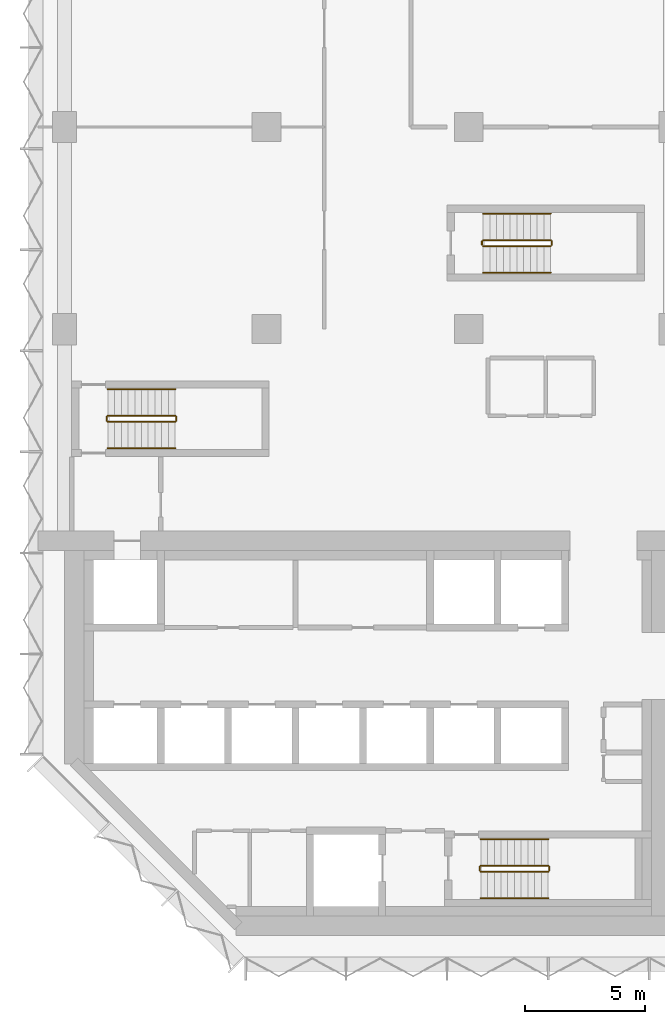
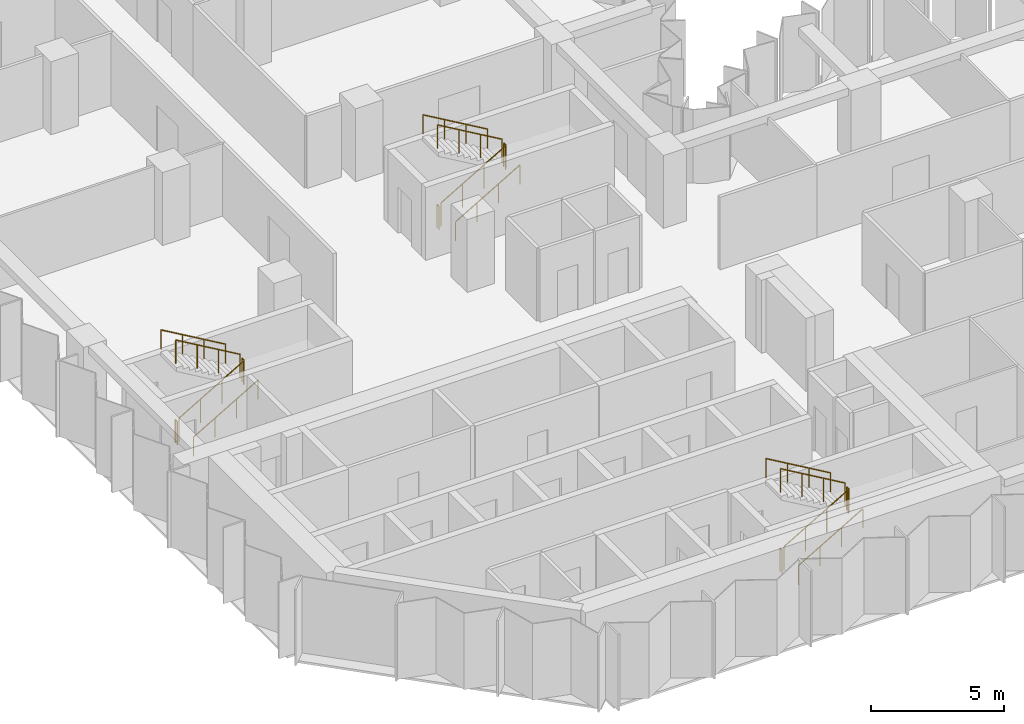
# One storey, part 12 of 13: 18 railings.
"""IFC4 building model written with IfcOpenShell, lengths in metres."""

from ifc_helpers import new_model, si_unit, direction, frame, origin, origin_2d, place, context, subcontext, project, spatial, circle, extrude, material, type_object, element, save


model = new_model("IFC4")

# Units and contexts
model_context = context("Model", 3, precision=1e-05, world=origin(), true_north=direction((0.0, 1.0)))
body_context = subcontext(model_context, "Body", "Model", "MODEL_VIEW")
ifc_project = project(units=[si_unit("LENGTHUNIT", "METRE"), si_unit("AREAUNIT", "SQUARE_METRE"), si_unit("VOLUMEUNIT", "CUBIC_METRE"), si_unit("PLANEANGLEUNIT", "RADIAN"), si_unit("MASSUNIT", "GRAM", prefix="KILO")], contexts=[model_context])

# Site, building, storey
site_placement = place(None, origin())
site = spatial("IfcSite", under=ifc_project, at=site_placement, CompositionType="ELEMENT")
building_placement = place(site_placement, origin())
building = spatial("IfcBuilding", under=site, at=building_placement, Name="Brevane Broadcast Tower", CompositionType="ELEMENT")
storey_placement = place(building_placement, frame((0.0, 0.0, 106.10009765625)))
storey = spatial("IfcBuildingStorey", under=building, at=storey_placement, Name="L25", CompositionType="ELEMENT", Elevation=106.10009765625)

# Railings
ifc_material = material(Name="Steel S355", Category="steel")
railing_type_1 = type_object("IfcRailingType", Name="Exit stair guard", PredefinedType="GUARDRAIL", material=ifc_material)
railing_1_placement = place(storey_placement, frame((1.800048828125, 21.35009765625, 0.16357421875)))
element("IfcRailing", 1, at=railing_1_placement, inside=storey, type_object=railing_type_1, Name="L25 ST-1 stair guard 1", PredefinedType="GUARDRAIL", context=body_context, shape_type="SweptSolid", body=[
    extrude(circle(Radius=0.02392578125, at=origin_2d()), frame((0.0, 0.0, 1.076171875), z_axis=(0.863393664356, 0.0, 0.504530851732), x_axis=(0.0, 1.0, 0.0)), (0.0, 0.0, 1.0), 3.2431640625),
    extrude(circle(Radius=0.02099609375, at=origin_2d()), origin(), (0.0, 0.0, 1.0), 1.052001953125),
    extrude(circle(Radius=0.02099609375, at=origin_2d()), frame((0.933349609375, 0.0, 0.54541015625)), (0.0, 0.0, 1.0), 1.052001953125),
    extrude(circle(Radius=0.02099609375, at=origin_2d()), frame((1.86669921875, 0.0, 1.0908203125)), (0.0, 0.0, 1.0), 1.052001953125),
    extrude(circle(Radius=0.02099609375, at=origin_2d()), frame((2.800048828125, 0.0, 1.63623046875)), (0.0, 0.0, 1.0), 1.052001953125),
])
railing_2_placement = place(storey_placement, frame((4.64990234375, 21.39990234375, 1.7998046875)))
element("IfcRailing", 2, at=railing_2_placement, inside=storey, type_object=railing_type_1, Name="L25 ST-1 stair guard 2", PredefinedType="GUARDRAIL", context=body_context, shape_type="SweptSolid", body=[
    extrude(circle(Radius=0.02392578125, at=origin_2d()), frame((0.0, 0.0, 1.076171875), z_axis=(0.0, 1.0, 0.0), x_axis=(-1.0, 0.0, 0.0)), (0.0, 0.0, 1.0), 0.150146484375),
    extrude(circle(Radius=0.02099609375, at=origin_2d()), origin(), (0.0, 0.0, 1.0), 1.052001953125),
    extrude(circle(Radius=0.02099609375, at=origin_2d()), frame((0.0, 0.150146484375, 0.0)), (0.0, 0.0, 1.0), 1.052001953125),
])
railing_3_placement = place(storey_placement, frame((4.60009765625, 21.60009765625, 1.963623046875)))
element("IfcRailing", 3, at=railing_3_placement, inside=storey, type_object=railing_type_1, Name="L25 ST-1 stair guard 3", PredefinedType="GUARDRAIL", context=body_context, shape_type="SweptSolid", body=[
    extrude(circle(Radius=0.02392578125, at=origin_2d()), frame((0.0, 0.0, 1.076171875), z_axis=(-0.863393664356, 0.0, 0.504530851732), x_axis=(0.0, -1.0, 0.0)), (0.0, 0.0, 1.0), 3.2431640625),
    extrude(circle(Radius=0.02099609375, at=origin_2d()), origin(), (0.0, 0.0, 1.0), 1.052001953125),
    extrude(circle(Radius=0.02099609375, at=origin_2d()), frame((-0.933349609375, 0.0, 0.54541015625)), (0.0, 0.0, 1.0), 1.052001953125),
    extrude(circle(Radius=0.02099609375, at=origin_2d()), frame((-1.86669921875, 0.0, 1.0908203125)), (0.0, 0.0, 1.0), 1.052001953125),
    extrude(circle(Radius=0.02099609375, at=origin_2d()), frame((-2.800048828125, 0.0, 1.63623046875)), (0.0, 0.0, 1.0), 1.052001953125),
])
railing_4_placement = place(storey_placement, frame((1.75, 21.39990234375, 0.0)))
element("IfcRailing", 4, at=railing_4_placement, inside=storey, type_object=railing_type_1, Name="L25 ST-1 stair guard 4", PredefinedType="GUARDRAIL", context=body_context, shape_type="SweptSolid", body=[
    extrude(circle(Radius=0.02392578125, at=origin_2d()), frame((0.0, 0.0, 1.076171875), z_axis=(0.0, 1.0, 0.0), x_axis=(-1.0, 0.0, 0.0)), (0.0, 0.0, 1.0), 0.150146484375),
    extrude(circle(Radius=0.02099609375, at=origin_2d()), origin(), (0.0, 0.0, 1.0), 1.052001953125),
    extrude(circle(Radius=0.02099609375, at=origin_2d()), frame((0.0, 0.150146484375, 0.0)), (0.0, 0.0, 1.0), 1.052001953125),
])
railing_5_placement = place(storey_placement, frame((17.300048828125, 2.64990234375, 0.16357421875)))
element("IfcRailing", 5, at=railing_5_placement, inside=storey, type_object=railing_type_1, Name="L25 ST-2 stair guard 1", PredefinedType="GUARDRAIL", context=body_context, shape_type="SweptSolid", body=[
    extrude(circle(Radius=0.02392578125, at=origin_2d()), frame((0.0, 0.0, 1.076171875), z_axis=(0.863393664356, 0.0, 0.504530851732), x_axis=(0.0, 1.0, 0.0)), (0.0, 0.0, 1.0), 3.2431640625),
    extrude(circle(Radius=0.02099609375, at=origin_2d()), origin(), (0.0, 0.0, 1.0), 1.052001953125),
    extrude(circle(Radius=0.02099609375, at=origin_2d()), frame((0.933349609375, 0.0, 0.54541015625)), (0.0, 0.0, 1.0), 1.052001953125),
    extrude(circle(Radius=0.02099609375, at=origin_2d()), frame((1.86669921875, 0.0, 1.0908203125)), (0.0, 0.0, 1.0), 1.052001953125),
    extrude(circle(Radius=0.02099609375, at=origin_2d()), frame((2.800048828125, 0.0, 1.63623046875)), (0.0, 0.0, 1.0), 1.052001953125),
])
railing_6_placement = place(storey_placement, frame((20.14990234375, 2.699951171875, 1.7998046875)))
element("IfcRailing", 6, at=railing_6_placement, inside=storey, type_object=railing_type_1, Name="L25 ST-2 stair guard 2", PredefinedType="GUARDRAIL", context=body_context, shape_type="SweptSolid", body=[
    extrude(circle(Radius=0.02392578125, at=origin_2d()), frame((0.0, 0.0, 1.076171875), z_axis=(0.0, 1.0, 0.0), x_axis=(-1.0, 0.0, 0.0)), (0.0, 0.0, 1.0), 0.150146484375),
    extrude(circle(Radius=0.02099609375, at=origin_2d()), origin(), (0.0, 0.0, 1.0), 1.052001953125),
    extrude(circle(Radius=0.02099609375, at=origin_2d()), frame((0.0, 0.150146484375, 0.0)), (0.0, 0.0, 1.0), 1.052001953125),
])
railing_7_placement = place(storey_placement, frame((20.10009765625, 2.89990234375, 1.963623046875)))
element("IfcRailing", 7, at=railing_7_placement, inside=storey, type_object=railing_type_1, Name="L25 ST-2 stair guard 3", PredefinedType="GUARDRAIL", context=body_context, shape_type="SweptSolid", body=[
    extrude(circle(Radius=0.02392578125, at=origin_2d()), frame((0.0, 0.0, 1.076171875), z_axis=(-0.863393664356, 0.0, 0.504530851732), x_axis=(0.0, -1.0, 0.0)), (0.0, 0.0, 1.0), 3.2431640625),
    extrude(circle(Radius=0.02099609375, at=origin_2d()), origin(), (0.0, 0.0, 1.0), 1.052001953125),
    extrude(circle(Radius=0.02099609375, at=origin_2d()), frame((-0.933349609375, 0.0, 0.54541015625)), (0.0, 0.0, 1.0), 1.052001953125),
    extrude(circle(Radius=0.02099609375, at=origin_2d()), frame((-1.86669921875, 0.0, 1.0908203125)), (0.0, 0.0, 1.0), 1.052001953125),
    extrude(circle(Radius=0.02099609375, at=origin_2d()), frame((-2.800048828125, 0.0, 1.63623046875)), (0.0, 0.0, 1.0), 1.052001953125),
])
railing_8_placement = place(storey_placement, frame((17.25, 2.699951171875, 0.0)))
element("IfcRailing", 8, at=railing_8_placement, inside=storey, type_object=railing_type_1, Name="L25 ST-2 stair guard 4", PredefinedType="GUARDRAIL", context=body_context, shape_type="SweptSolid", body=[
    extrude(circle(Radius=0.02392578125, at=origin_2d()), frame((0.0, 0.0, 1.076171875), z_axis=(0.0, 1.0, 0.0), x_axis=(-1.0, 0.0, 0.0)), (0.0, 0.0, 1.0), 0.150146484375),
    extrude(circle(Radius=0.02099609375, at=origin_2d()), origin(), (0.0, 0.0, 1.0), 1.052001953125),
    extrude(circle(Radius=0.02099609375, at=origin_2d()), frame((0.0, 0.150146484375, 0.0)), (0.0, 0.0, 1.0), 1.052001953125),
])
railing_9_placement = place(storey_placement, frame((17.39990234375, 28.64990234375, 0.16357421875)))
element("IfcRailing", 9, at=railing_9_placement, inside=storey, type_object=railing_type_1, Name="L25 ST-3 stair guard 1", PredefinedType="GUARDRAIL", context=body_context, shape_type="SweptSolid", body=[
    extrude(circle(Radius=0.02392578125, at=origin_2d()), frame((0.0, 0.0, 1.076171875), z_axis=(0.863393664356, 0.0, 0.504530851732), x_axis=(0.0, 1.0, 0.0)), (0.0, 0.0, 1.0), 3.2431640625),
    extrude(circle(Radius=0.02099609375, at=origin_2d()), origin(), (0.0, 0.0, 1.0), 1.052001953125),
    extrude(circle(Radius=0.02099609375, at=origin_2d()), frame((0.933349609375, 0.0, 0.54541015625)), (0.0, 0.0, 1.0), 1.052001953125),
    extrude(circle(Radius=0.02099609375, at=origin_2d()), frame((1.86669921875, 0.0, 1.0908203125)), (0.0, 0.0, 1.0), 1.052001953125),
    extrude(circle(Radius=0.02099609375, at=origin_2d()), frame((2.800048828125, 0.0, 1.63623046875)), (0.0, 0.0, 1.0), 1.052001953125),
])
railing_10_placement = place(storey_placement, frame((20.25, 28.699951171875, 1.7998046875)))
element("IfcRailing", 10, at=railing_10_placement, inside=storey, type_object=railing_type_1, Name="L25 ST-3 stair guard 2", PredefinedType="GUARDRAIL", context=body_context, shape_type="SweptSolid", body=[
    extrude(circle(Radius=0.02392578125, at=origin_2d()), frame((0.0, 0.0, 1.076171875), z_axis=(0.0, 1.0, 0.0), x_axis=(-1.0, 0.0, 0.0)), (0.0, 0.0, 1.0), 0.150146484375),
    extrude(circle(Radius=0.02099609375, at=origin_2d()), origin(), (0.0, 0.0, 1.0), 1.052001953125),
    extrude(circle(Radius=0.02099609375, at=origin_2d()), frame((0.0, 0.150146484375, 0.0)), (0.0, 0.0, 1.0), 1.052001953125),
])
railing_11_placement = place(storey_placement, frame((20.199951171875, 28.89990234375, 1.963623046875)))
element("IfcRailing", 11, at=railing_11_placement, inside=storey, type_object=railing_type_1, Name="L25 ST-3 stair guard 3", PredefinedType="GUARDRAIL", context=body_context, shape_type="SweptSolid", body=[
    extrude(circle(Radius=0.02392578125, at=origin_2d()), frame((0.0, 0.0, 1.076171875), z_axis=(-0.863393664356, 0.0, 0.504530851732), x_axis=(0.0, -1.0, 0.0)), (0.0, 0.0, 1.0), 3.2431640625),
    extrude(circle(Radius=0.02099609375, at=origin_2d()), origin(), (0.0, 0.0, 1.0), 1.052001953125),
    extrude(circle(Radius=0.02099609375, at=origin_2d()), frame((-0.933349609375, 0.0, 0.54541015625)), (0.0, 0.0, 1.0), 1.052001953125),
    extrude(circle(Radius=0.02099609375, at=origin_2d()), frame((-1.86669921875, 0.0, 1.0908203125)), (0.0, 0.0, 1.0), 1.052001953125),
    extrude(circle(Radius=0.02099609375, at=origin_2d()), frame((-2.800048828125, 0.0, 1.63623046875)), (0.0, 0.0, 1.0), 1.052001953125),
])
railing_12_placement = place(storey_placement, frame((17.35009765625, 28.699951171875, 0.0)))
element("IfcRailing", 12, at=railing_12_placement, inside=storey, type_object=railing_type_1, Name="L25 ST-3 stair guard 4", PredefinedType="GUARDRAIL", context=body_context, shape_type="SweptSolid", body=[
    extrude(circle(Radius=0.02392578125, at=origin_2d()), frame((0.0, 0.0, 1.076171875), z_axis=(0.0, 1.0, 0.0), x_axis=(-1.0, 0.0, 0.0)), (0.0, 0.0, 1.0), 0.150146484375),
    extrude(circle(Radius=0.02099609375, at=origin_2d()), origin(), (0.0, 0.0, 1.0), 1.052001953125),
    extrude(circle(Radius=0.02099609375, at=origin_2d()), frame((0.0, 0.150146484375, 0.0)), (0.0, 0.0, 1.0), 1.052001953125),
])
railing_type_2 = type_object("IfcRailingType", Name="Exit stair handrail", PredefinedType="HANDRAIL", material=ifc_material)
railing_13_placement = place(storey_placement, frame((1.800048828125, 20.25, 0.16357421875)))
element("IfcRailing", 13, at=railing_13_placement, inside=storey, type_object=railing_type_2, Name="L25 ST-1 stair handrail 1", PredefinedType="HANDRAIL", context=body_context, shape_type="SweptSolid", body=[
    extrude(circle(Radius=0.02392578125, at=origin_2d()), frame((0.0, 0.0, 0.8759765625), z_axis=(0.863393664356, 0.0, 0.504530851732), x_axis=(0.0, 1.0, 0.0)), (0.0, 0.0, 1.0), 3.2431640625),
    extrude(circle(Radius=0.02099609375, at=origin_2d()), origin(), (0.0, 0.0, 1.0), 0.851806640625),
    extrude(circle(Radius=0.02099609375, at=origin_2d()), frame((0.933349609375, 0.0, 0.54541015625)), (0.0, 0.0, 1.0), 0.851806640625),
    extrude(circle(Radius=0.02099609375, at=origin_2d()), frame((1.86669921875, 0.0, 1.0908203125)), (0.0, 0.0, 1.0), 0.851806640625),
    extrude(circle(Radius=0.02099609375, at=origin_2d()), frame((2.800048828125, 0.0, 1.63623046875)), (0.0, 0.0, 1.0), 0.851806640625),
])
railing_14_placement = place(storey_placement, frame((4.60009765625, 22.699951171875, 1.963623046875)))
element("IfcRailing", 14, at=railing_14_placement, inside=storey, type_object=railing_type_2, Name="L25 ST-1 stair handrail 2", PredefinedType="HANDRAIL", context=body_context, shape_type="SweptSolid", body=[
    extrude(circle(Radius=0.02392578125, at=origin_2d()), frame((0.0, 0.0, 0.8759765625), z_axis=(-0.863393664356, 0.0, 0.504530851732), x_axis=(0.0, -1.0, 0.0)), (0.0, 0.0, 1.0), 3.2431640625),
    extrude(circle(Radius=0.02099609375, at=origin_2d()), origin(), (0.0, 0.0, 1.0), 0.851806640625),
    extrude(circle(Radius=0.02099609375, at=origin_2d()), frame((-0.933349609375, 0.0, 0.54541015625)), (0.0, 0.0, 1.0), 0.851806640625),
    extrude(circle(Radius=0.02099609375, at=origin_2d()), frame((-1.86669921875, 0.0, 1.0908203125)), (0.0, 0.0, 1.0), 0.851806640625),
    extrude(circle(Radius=0.02099609375, at=origin_2d()), frame((-2.800048828125, 0.0, 1.63623046875)), (0.0, 0.0, 1.0), 0.851806640625),
])
railing_15_placement = place(storey_placement, frame((17.300048828125, 1.550048828125, 0.16357421875)))
element("IfcRailing", 15, at=railing_15_placement, inside=storey, type_object=railing_type_2, Name="L25 ST-2 stair handrail 1", PredefinedType="HANDRAIL", context=body_context, shape_type="SweptSolid", body=[
    extrude(circle(Radius=0.02392578125, at=origin_2d()), frame((0.0, 0.0, 0.8759765625), z_axis=(0.863393664356, 0.0, 0.504530851732), x_axis=(0.0, 1.0, 0.0)), (0.0, 0.0, 1.0), 3.2431640625),
    extrude(circle(Radius=0.02099609375, at=origin_2d()), origin(), (0.0, 0.0, 1.0), 0.851806640625),
    extrude(circle(Radius=0.02099609375, at=origin_2d()), frame((0.933349609375, 0.0, 0.54541015625)), (0.0, 0.0, 1.0), 0.851806640625),
    extrude(circle(Radius=0.02099609375, at=origin_2d()), frame((1.86669921875, 0.0, 1.0908203125)), (0.0, 0.0, 1.0), 0.851806640625),
    extrude(circle(Radius=0.02099609375, at=origin_2d()), frame((2.800048828125, 0.0, 1.63623046875)), (0.0, 0.0, 1.0), 0.851806640625),
])
railing_16_placement = place(storey_placement, frame((20.10009765625, 4.0, 1.963623046875)))
element("IfcRailing", 16, at=railing_16_placement, inside=storey, type_object=railing_type_2, Name="L25 ST-2 stair handrail 2", PredefinedType="HANDRAIL", context=body_context, shape_type="SweptSolid", body=[
    extrude(circle(Radius=0.02392578125, at=origin_2d()), frame((0.0, 0.0, 0.8759765625), z_axis=(-0.863393664356, 0.0, 0.504530851732), x_axis=(0.0, -1.0, 0.0)), (0.0, 0.0, 1.0), 3.2431640625),
    extrude(circle(Radius=0.02099609375, at=origin_2d()), origin(), (0.0, 0.0, 1.0), 0.851806640625),
    extrude(circle(Radius=0.02099609375, at=origin_2d()), frame((-0.933349609375, 0.0, 0.54541015625)), (0.0, 0.0, 1.0), 0.851806640625),
    extrude(circle(Radius=0.02099609375, at=origin_2d()), frame((-1.86669921875, 0.0, 1.0908203125)), (0.0, 0.0, 1.0), 0.851806640625),
    extrude(circle(Radius=0.02099609375, at=origin_2d()), frame((-2.800048828125, 0.0, 1.63623046875)), (0.0, 0.0, 1.0), 0.851806640625),
])
railing_17_placement = place(storey_placement, frame((17.39990234375, 27.550048828125, 0.16357421875)))
element("IfcRailing", 17, at=railing_17_placement, inside=storey, type_object=railing_type_2, Name="L25 ST-3 stair handrail 1", PredefinedType="HANDRAIL", context=body_context, shape_type="SweptSolid", body=[
    extrude(circle(Radius=0.02392578125, at=origin_2d()), frame((0.0, 0.0, 0.8759765625), z_axis=(0.863393664356, 0.0, 0.504530851732), x_axis=(0.0, 1.0, 0.0)), (0.0, 0.0, 1.0), 3.2431640625),
    extrude(circle(Radius=0.02099609375, at=origin_2d()), origin(), (0.0, 0.0, 1.0), 0.851806640625),
    extrude(circle(Radius=0.02099609375, at=origin_2d()), frame((0.933349609375, 0.0, 0.54541015625)), (0.0, 0.0, 1.0), 0.851806640625),
    extrude(circle(Radius=0.02099609375, at=origin_2d()), frame((1.86669921875, 0.0, 1.0908203125)), (0.0, 0.0, 1.0), 0.851806640625),
    extrude(circle(Radius=0.02099609375, at=origin_2d()), frame((2.800048828125, 0.0, 1.63623046875)), (0.0, 0.0, 1.0), 0.851806640625),
])
railing_18_placement = place(storey_placement, frame((20.199951171875, 30.0, 1.963623046875)))
element("IfcRailing", 18, at=railing_18_placement, inside=storey, type_object=railing_type_2, Name="L25 ST-3 stair handrail 2", PredefinedType="HANDRAIL", context=body_context, shape_type="SweptSolid", body=[
    extrude(circle(Radius=0.02392578125, at=origin_2d()), frame((0.0, 0.0, 0.8759765625), z_axis=(-0.863393664356, 0.0, 0.504530851732), x_axis=(0.0, -1.0, 0.0)), (0.0, 0.0, 1.0), 3.2431640625),
    extrude(circle(Radius=0.02099609375, at=origin_2d()), origin(), (0.0, 0.0, 1.0), 0.851806640625),
    extrude(circle(Radius=0.02099609375, at=origin_2d()), frame((-0.933349609375, 0.0, 0.54541015625)), (0.0, 0.0, 1.0), 0.851806640625),
    extrude(circle(Radius=0.02099609375, at=origin_2d()), frame((-1.86669921875, 0.0, 1.0908203125)), (0.0, 0.0, 1.0), 0.851806640625),
    extrude(circle(Radius=0.02099609375, at=origin_2d()), frame((-2.800048828125, 0.0, 1.63623046875)), (0.0, 0.0, 1.0), 0.851806640625),
])

save(model, "model.ifc")
